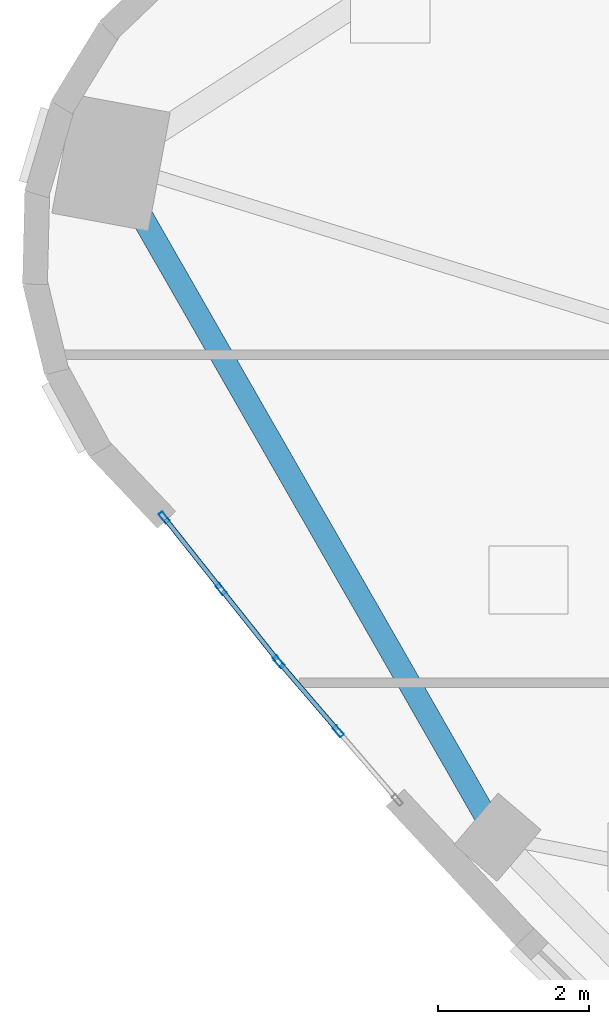
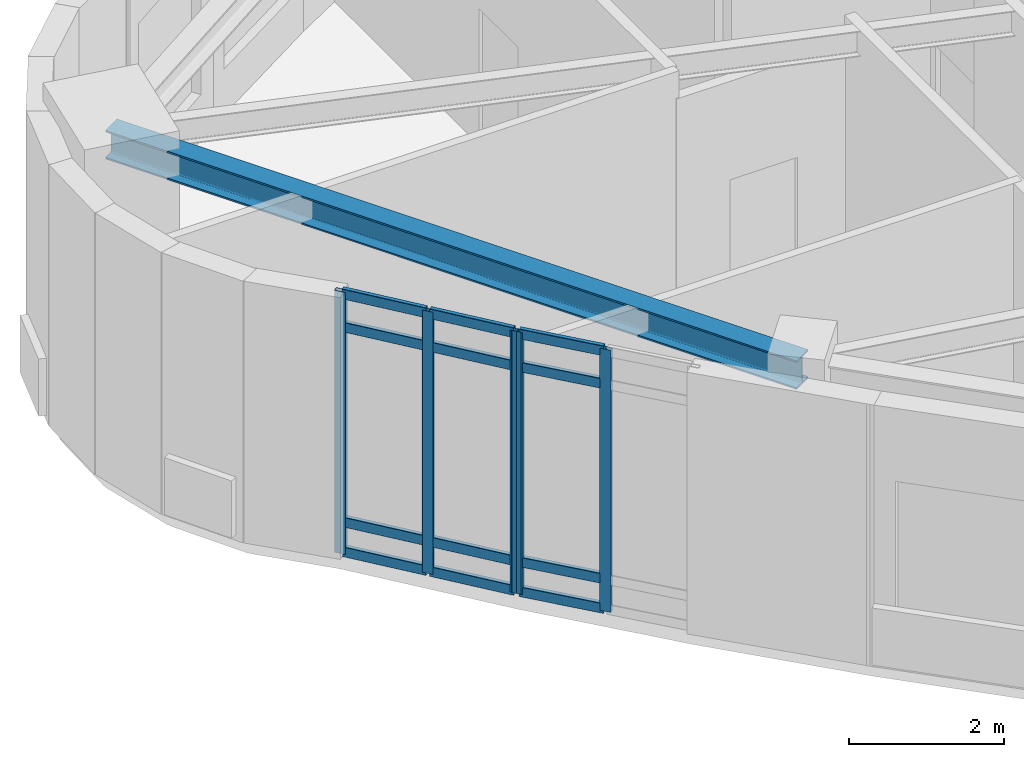
# One storey, part 5 of 19: 17 members, 1 beam, 2 elements without a shape of their own.
"""IFC4 building model written with IfcOpenShell, lengths in metres."""

from ifc_helpers import new_model, si_unit, direction, frame, origin, origin_2d, place, context, subcontext, project, spatial, hollow_rectangle, i_section, extrude, material, layer, layer_set, material_profile, profile_set, type_object, element, aggregate, save


model = new_model("IFC4")

# Units and contexts
model_context = context("Model", 3, precision=1e-05, world=origin(), true_north=direction((0.0, 1.0)))
body_context = subcontext(model_context, "Body", "Model", "MODEL_VIEW")
ifc_project = project(units=[si_unit("LENGTHUNIT", "METRE"), si_unit("AREAUNIT", "SQUARE_METRE"), si_unit("VOLUMEUNIT", "CUBIC_METRE"), si_unit("PLANEANGLEUNIT", "RADIAN"), si_unit("MASSUNIT", "GRAM", prefix="KILO")], contexts=[model_context])

# Site, building, storey
site_placement = place(None, origin())
site = spatial("IfcSite", under=ifc_project, at=site_placement, CompositionType="ELEMENT")
building_placement = place(site_placement, origin())
building = spatial("IfcBuilding", under=site, at=building_placement, Name="Ndelora Gate Hotel", CompositionType="ELEMENT")
storey_placement = place(building_placement, frame((0.0, 0.0, 299.199951171875)))
storey = spatial("IfcBuildingStorey", under=building, at=storey_placement, Name="L74", CompositionType="ELEMENT", Elevation=299.199951171875)

# Beam
ifc_material_1 = material(Name="Steel S355", Category="steel")
ifc_material_profile_1 = material_profile(ifc_material_1, i_section(OverallWidth=0.300048828125, OverallDepth=0.449951171875, WebThickness=0.013916015625, FlangeThickness=0.02587890625, FilletRadius=0.027099609375, at=origin_2d()), Name="HEB 450")
ifc_profile_set_1 = profile_set([ifc_material_profile_1], Name="Steel S355")
beam_type = type_object("IfcBeamType", Name="BM-RING-450", PredefinedType="SPANDREL", material=ifc_profile_set_1)
beam_placement = place(storey_placement, frame((-19.949951171875, 3.697509765625, 3.89501953125), z_axis=(0.497255333538, -0.867604249222, 0.0), x_axis=(0.867604249222, 0.497255333538, 0.0)))
element("IfcBeam", 1, at=beam_placement, inside=storey, type_object=beam_type, Name="L74 structural beam RB-5", PredefinedType="SPANDREL", context=body_context, shape_type="SweptSolid", body=[
    extrude(i_section(OverallWidth=0.300048828125, OverallDepth=0.449951171875, WebThickness=0.013916015625, FlangeThickness=0.02587890625, FilletRadius=0.027099609375, at=origin_2d()), origin(), (0.0, 0.0, 1.0), 10.3115234375),
])

# Curtain wall, members
ifc_material_2 = material(Name="Bronze Anodised Unitised Aluminium and Low-E Glass", Category="aluminium")
ifc_layer = layer(ifc_material_2, 0.219970703125)
ifc_layer_set = layer_set([ifc_layer], Name="Bronze Anodised Unitised Aluminium and Low-E Glass")
curtain_wall_type = type_object("IfcCurtainWallType", Name="CW-SYS-7", PredefinedType="NOTDEFINED", material=ifc_layer_set)
curtain_wall_1_placement = place(storey_placement, origin())
curtain_wall_1 = element("IfcCurtainWall", 2, at=curtain_wall_1_placement, inside=storey, type_object=curtain_wall_type, Name="L74 West Peak Horizon Observatory Curtain Wall 1", PredefinedType="NOTDEFINED")
ifc_material_3 = material(Name="Bronze Anodised Aluminium 6063-T6", Category="aluminium")
ifc_material_profile_2 = material_profile(ifc_material_3, hollow_rectangle(XDim=0.06494140625, YDim=0.159912109375, WallThickness=0.00390625, InnerFilletRadius=0.00390625, OuterFilletRadius=0.008056640625, at=origin_2d()), Name="ALU 160x65x4")
ifc_profile_set_2 = profile_set([ifc_material_profile_2], Name="Bronze Anodised Aluminium 6063-T6")
member_type_1 = type_object("IfcMemberType", Name="MB-CW-MUL150", PredefinedType="MULLION", material=ifc_profile_set_2)
member_1_placement = place(storey_placement, frame((-19.24462890625, -1.008544921875, -0.00390625), z_axis=(0.0, 0.0, 1.0), x_axis=(0.783317390578, 0.62162196359, 0.0)))
member_1 = element("IfcMember", 3, at=member_1_placement, type_object=member_type_1, Name="CW7 mullion 1", PredefinedType="MULLION", context=body_context, shape_type="SweptSolid", body=[
    extrude(hollow_rectangle(XDim=0.06494140625, YDim=0.159912109375, WallThickness=0.00390625, InnerFilletRadius=0.00390625, OuterFilletRadius=0.008056640625, at=origin_2d()), origin(), (0.0, 0.0, 1.0), 4.1279296875),
])
member_2_placement = place(storey_placement, frame((-18.489013671875, -1.960693359375, -0.00390625), z_axis=(0.0, 0.0, 1.0), x_axis=(0.783317390578, 0.62162196359, 0.0)))
member_2 = element("IfcMember", 4, at=member_2_placement, type_object=member_type_1, Name="CW7 mullion 2", PredefinedType="MULLION", context=body_context, shape_type="SweptSolid", body=[
    extrude(hollow_rectangle(XDim=0.06494140625, YDim=0.159912109375, WallThickness=0.00390625, InnerFilletRadius=0.00390625, OuterFilletRadius=0.008056640625, at=origin_2d()), origin(), (0.0, 0.0, 1.0), 4.1279296875),
])
member_3_placement = place(storey_placement, frame((-17.7333984375, -2.912841796875, -0.00390625), z_axis=(0.0, 0.0, 1.0), x_axis=(0.783317390578, 0.62162196359, 0.0)))
member_3 = element("IfcMember", 5, at=member_3_placement, type_object=member_type_1, Name="CW7 mullion 3", PredefinedType="MULLION", context=body_context, shape_type="SweptSolid", body=[
    extrude(hollow_rectangle(XDim=0.06494140625, YDim=0.159912109375, WallThickness=0.00390625, InnerFilletRadius=0.00390625, OuterFilletRadius=0.008056640625, at=origin_2d()), origin(), (0.0, 0.0, 1.0), 4.1279296875),
])

curtain_wall_2_placement = place(storey_placement, origin())
curtain_wall_2 = element("IfcCurtainWall", 6, at=curtain_wall_2_placement, inside=storey, type_object=curtain_wall_type, Name="L74 West Peak Horizon Observatory Curtain Wall 2", PredefinedType="NOTDEFINED")
member_4_placement = place(storey_placement, frame((-17.717529296875, -2.93212890625, -0.00390625), z_axis=(0.0, 0.0, 1.0), x_axis=(0.75852990573, 0.651638229475, 0.0)))
member_4 = element("IfcMember", 7, at=member_4_placement, type_object=member_type_1, Name="CW7 mullion 1", PredefinedType="MULLION", context=body_context, shape_type="SweptSolid", body=[
    extrude(hollow_rectangle(XDim=0.06494140625, YDim=0.159912109375, WallThickness=0.00390625, InnerFilletRadius=0.00390625, OuterFilletRadius=0.008056640625, at=origin_2d()), origin(), (0.0, 0.0, 1.0), 4.1279296875),
])
member_5_placement = place(storey_placement, frame((-16.934326171875, -3.84375, -0.00390625), z_axis=(0.0, 0.0, 1.0), x_axis=(0.75852990573, 0.651638229475, 0.0)))
member_5 = element("IfcMember", 8, at=member_5_placement, type_object=member_type_1, Name="CW7 mullion 2", PredefinedType="MULLION", context=body_context, shape_type="SweptSolid", body=[
    extrude(hollow_rectangle(XDim=0.06494140625, YDim=0.159912109375, WallThickness=0.00390625, InnerFilletRadius=0.00390625, OuterFilletRadius=0.008056640625, at=origin_2d()), origin(), (0.0, 0.0, 1.0), 4.1279296875),
])

# Member
ifc_material_profile_3 = material_profile(ifc_material_3, hollow_rectangle(XDim=0.06494140625, YDim=0.159912109375, WallThickness=0.00390625, InnerFilletRadius=0.00390625, OuterFilletRadius=0.008056640625, at=origin_2d()), Name="ALU 160x65x4")
ifc_profile_set_3 = profile_set([ifc_material_profile_3], Name="Bronze Anodised Aluminium 6063-T6")
member_type_2 = type_object("IfcMemberType", Name="MB-CW-TRN150", PredefinedType="USERDEFINED", material=ifc_profile_set_3)
member_6_placement = place(storey_placement, frame((-19.228271484375, -1.029296875, 0.032470703125), z_axis=(0.621616954834, -0.783321365382, 0.0), x_axis=(0.783321365382, 0.621616954834, 0.0)))
member_6 = element("IfcMember", 9, at=member_6_placement, type_object=member_type_2, Name="CW7 transom 1.1", ObjectType="TRANSOM", PredefinedType="USERDEFINED", context=body_context, shape_type="SweptSolid", body=[
    extrude(hollow_rectangle(XDim=0.06494140625, YDim=0.159912109375, WallThickness=0.00390625, InnerFilletRadius=0.00390625, OuterFilletRadius=0.008056640625, at=origin_2d()), origin(), (0.0, 0.0, 1.0), 1.16259765625),
])

member_7_placement = place(storey_placement, frame((-19.228271484375, -1.029296875, 0.5), z_axis=(0.621616954834, -0.783321365382, 0.0), x_axis=(0.783321365382, 0.621616954834, 0.0)))
member_7 = element("IfcMember", 10, at=member_7_placement, type_object=member_type_2, Name="CW7 transom 1.2", ObjectType="TRANSOM", PredefinedType="USERDEFINED", context=body_context, shape_type="SweptSolid", body=[
    extrude(hollow_rectangle(XDim=0.06494140625, YDim=0.159912109375, WallThickness=0.00390625, InnerFilletRadius=0.00390625, OuterFilletRadius=0.008056640625, at=origin_2d()), origin(), (0.0, 0.0, 1.0), 1.16259765625),
])

member_8_placement = place(storey_placement, frame((-19.228271484375, -1.029296875, 3.570068359375), z_axis=(0.621616954834, -0.783321365382, 0.0), x_axis=(0.783321365382, 0.621616954834, 0.0)))
member_8 = element("IfcMember", 11, at=member_8_placement, type_object=member_type_2, Name="CW7 transom 1.3", ObjectType="TRANSOM", PredefinedType="USERDEFINED", context=body_context, shape_type="SweptSolid", body=[
    extrude(hollow_rectangle(XDim=0.06494140625, YDim=0.159912109375, WallThickness=0.00390625, InnerFilletRadius=0.00390625, OuterFilletRadius=0.008056640625, at=origin_2d()), origin(), (0.0, 0.0, 1.0), 1.16259765625),
])

member_9_placement = place(storey_placement, frame((-19.228271484375, -1.029296875, 4.087646484375), z_axis=(0.621616954834, -0.783321365382, 0.0), x_axis=(0.783321365382, 0.621616954834, 0.0)))
member_9 = element("IfcMember", 12, at=member_9_placement, type_object=member_type_2, Name="CW7 transom 1.4", ObjectType="TRANSOM", PredefinedType="USERDEFINED", context=body_context, shape_type="SweptSolid", body=[
    extrude(hollow_rectangle(XDim=0.06494140625, YDim=0.159912109375, WallThickness=0.00390625, InnerFilletRadius=0.00390625, OuterFilletRadius=0.008056640625, at=origin_2d()), origin(), (0.0, 0.0, 1.0), 1.16259765625),
])

member_10_placement = place(storey_placement, frame((-18.47265625, -1.9814453125, 0.032470703125), z_axis=(0.621616954834, -0.783321365382, 0.0), x_axis=(0.783321365382, 0.621616954834, 0.0)))
member_10 = element("IfcMember", 13, at=member_10_placement, type_object=member_type_2, Name="CW7 transom 2.1", ObjectType="TRANSOM", PredefinedType="USERDEFINED", context=body_context, shape_type="SweptSolid", body=[
    extrude(hollow_rectangle(XDim=0.06494140625, YDim=0.159912109375, WallThickness=0.00390625, InnerFilletRadius=0.00390625, OuterFilletRadius=0.008056640625, at=origin_2d()), origin(), (0.0, 0.0, 1.0), 1.16259765625),
])

member_11_placement = place(storey_placement, frame((-18.47265625, -1.9814453125, 0.5), z_axis=(0.621616954834, -0.783321365382, 0.0), x_axis=(0.783321365382, 0.621616954834, 0.0)))
member_11 = element("IfcMember", 14, at=member_11_placement, type_object=member_type_2, Name="CW7 transom 2.2", ObjectType="TRANSOM", PredefinedType="USERDEFINED", context=body_context, shape_type="SweptSolid", body=[
    extrude(hollow_rectangle(XDim=0.06494140625, YDim=0.159912109375, WallThickness=0.00390625, InnerFilletRadius=0.00390625, OuterFilletRadius=0.008056640625, at=origin_2d()), origin(), (0.0, 0.0, 1.0), 1.16259765625),
])

member_12_placement = place(storey_placement, frame((-18.47265625, -1.9814453125, 3.570068359375), z_axis=(0.621616954834, -0.783321365382, 0.0), x_axis=(0.783321365382, 0.621616954834, 0.0)))
member_12 = element("IfcMember", 15, at=member_12_placement, type_object=member_type_2, Name="CW7 transom 2.3", ObjectType="TRANSOM", PredefinedType="USERDEFINED", context=body_context, shape_type="SweptSolid", body=[
    extrude(hollow_rectangle(XDim=0.06494140625, YDim=0.159912109375, WallThickness=0.00390625, InnerFilletRadius=0.00390625, OuterFilletRadius=0.008056640625, at=origin_2d()), origin(), (0.0, 0.0, 1.0), 1.16259765625),
])

member_13_placement = place(storey_placement, frame((-18.47265625, -1.9814453125, 4.087646484375), z_axis=(0.621616954834, -0.783321365382, 0.0), x_axis=(0.783321365382, 0.621616954834, 0.0)))
member_13 = element("IfcMember", 16, at=member_13_placement, type_object=member_type_2, Name="CW7 transom 2.4", ObjectType="TRANSOM", PredefinedType="USERDEFINED", context=body_context, shape_type="SweptSolid", body=[
    extrude(hollow_rectangle(XDim=0.06494140625, YDim=0.159912109375, WallThickness=0.00390625, InnerFilletRadius=0.00390625, OuterFilletRadius=0.008056640625, at=origin_2d()), origin(), (0.0, 0.0, 1.0), 1.16259765625),
])

aggregate(curtain_wall_1, [member_1, member_2, member_3, member_6, member_7, member_8, member_9, member_10, member_11, member_12, member_13])

member_14_placement = place(storey_placement, frame((-17.7001953125, -2.9521484375, 0.032470703125), z_axis=(0.651526069725, -0.75862624557, 0.0), x_axis=(0.75862624557, 0.651526069725, 0.0)))
member_14 = element("IfcMember", 17, at=member_14_placement, type_object=member_type_2, Name="CW7 transom 1.1", ObjectType="TRANSOM", PredefinedType="USERDEFINED", context=body_context, shape_type="SweptSolid", body=[
    extrude(hollow_rectangle(XDim=0.06494140625, YDim=0.159912109375, WallThickness=0.00390625, InnerFilletRadius=0.00390625, OuterFilletRadius=0.008056640625, at=origin_2d()), origin(), (0.0, 0.0, 1.0), 1.14892578125),
])

member_15_placement = place(storey_placement, frame((-17.7001953125, -2.9521484375, 0.5), z_axis=(0.651526069725, -0.75862624557, 0.0), x_axis=(0.75862624557, 0.651526069725, 0.0)))
member_15 = element("IfcMember", 18, at=member_15_placement, type_object=member_type_2, Name="CW7 transom 1.2", ObjectType="TRANSOM", PredefinedType="USERDEFINED", context=body_context, shape_type="SweptSolid", body=[
    extrude(hollow_rectangle(XDim=0.06494140625, YDim=0.159912109375, WallThickness=0.00390625, InnerFilletRadius=0.00390625, OuterFilletRadius=0.008056640625, at=origin_2d()), origin(), (0.0, 0.0, 1.0), 1.14892578125),
])

member_16_placement = place(storey_placement, frame((-17.7001953125, -2.9521484375, 3.570068359375), z_axis=(0.651526069725, -0.75862624557, 0.0), x_axis=(0.75862624557, 0.651526069725, 0.0)))
member_16 = element("IfcMember", 19, at=member_16_placement, type_object=member_type_2, Name="CW7 transom 1.3", ObjectType="TRANSOM", PredefinedType="USERDEFINED", context=body_context, shape_type="SweptSolid", body=[
    extrude(hollow_rectangle(XDim=0.06494140625, YDim=0.159912109375, WallThickness=0.00390625, InnerFilletRadius=0.00390625, OuterFilletRadius=0.008056640625, at=origin_2d()), origin(), (0.0, 0.0, 1.0), 1.14892578125),
])

member_17_placement = place(storey_placement, frame((-17.7001953125, -2.9521484375, 4.087646484375), z_axis=(0.651526069725, -0.75862624557, 0.0), x_axis=(0.75862624557, 0.651526069725, 0.0)))
member_17 = element("IfcMember", 20, at=member_17_placement, type_object=member_type_2, Name="CW7 transom 1.4", ObjectType="TRANSOM", PredefinedType="USERDEFINED", context=body_context, shape_type="SweptSolid", body=[
    extrude(hollow_rectangle(XDim=0.06494140625, YDim=0.159912109375, WallThickness=0.00390625, InnerFilletRadius=0.00390625, OuterFilletRadius=0.008056640625, at=origin_2d()), origin(), (0.0, 0.0, 1.0), 1.14892578125),
])

aggregate(curtain_wall_2, [member_4, member_5, member_14, member_15, member_16, member_17])

save(model, "model.ifc")
